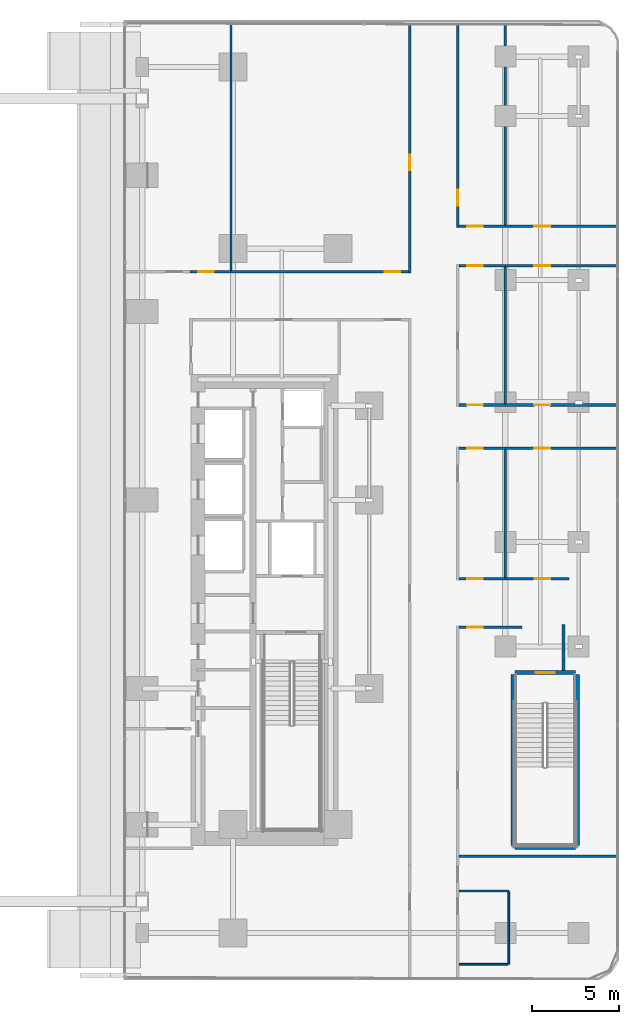
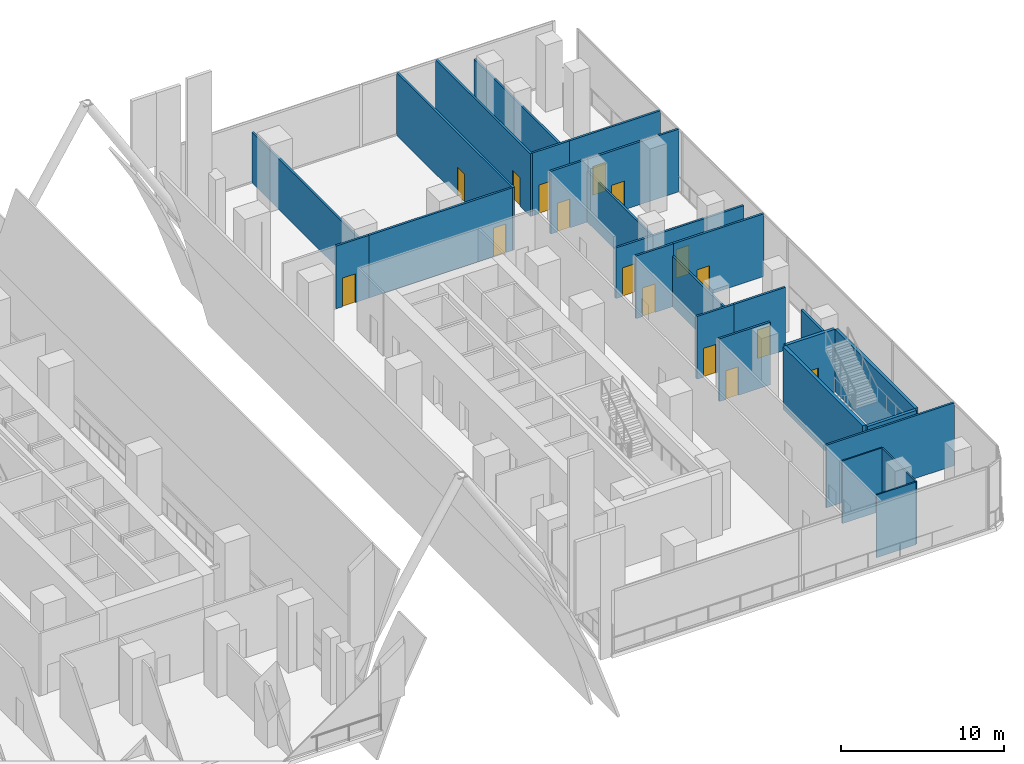
# One storey, part 10 of 31: 28 walls, 16 doors, 16 openings.
"""IFC4 building model written with IfcOpenShell, lengths in metres."""

from ifc_helpers import new_model, si_unit, direction, frame, frame_2d, origin, place, context, subcontext, project, spatial, rectangle, extrude, material, layer, layer_set, type_object, element, fill, save


model = new_model("IFC4")

# Units and contexts
model_context = context("Model", 3, precision=1e-05, world=origin(), true_north=direction((0.0, 1.0)))
body_context = subcontext(model_context, "Body", "Model", "MODEL_VIEW")
ifc_project = project(units=[si_unit("LENGTHUNIT", "METRE"), si_unit("AREAUNIT", "SQUARE_METRE"), si_unit("VOLUMEUNIT", "CUBIC_METRE"), si_unit("PLANEANGLEUNIT", "RADIAN"), si_unit("MASSUNIT", "GRAM", prefix="KILO")], contexts=[model_context])

# Site, building, storey
site_placement = place(None, origin())
site = spatial("IfcSite", under=ifc_project, at=site_placement, CompositionType="ELEMENT")
building_placement = place(site_placement, origin())
building = spatial("IfcBuilding", under=site, at=building_placement, Name="Khairoan Windgate Tower", CompositionType="ELEMENT")
storey_placement = place(building_placement, frame((0.0, 0.0, 6.0)))
storey = spatial("IfcBuildingStorey", under=building, at=storey_placement, Name="L02", CompositionType="ELEMENT", Elevation=6.0)

# Walls
ifc_material_1 = material(Name="Moisture-Resistant Gypsum Partition", Category="gypsum")
ifc_layer_1 = layer(ifc_material_1, 0.10009765625, Name="Moisture-Resistant Gypsum Partition")
ifc_layer_set_1 = layer_set([ifc_layer_1], Name="Moisture-Resistant Gypsum Partition")
wall_type_1 = type_object("IfcWallType", Name="Bathroom Wet-Area Partition Wall", PredefinedType="PARTITIONING", material=ifc_layer_set_1)
wall_1_placement = place(storey_placement, frame((27.35498046875, -22.39990234375, 0.0), z_axis=(0.0, 0.0, 1.0), x_axis=(1.0, 0.0, 0.0)))
element("IfcWall", 1, at=wall_1_placement, inside=storey, type_object=wall_type_1, Name="L02 Wet Room Side Wall 083", PredefinedType="PARTITIONING", context=body_context, shape_type="SweptSolid", body=[
    extrude(rectangle(XDim=2.844970703125, YDim=0.10009765625, at=frame_2d((1.42236328125, 0.0))), origin(), (0.0, 0.0, 1.0), 4.699951171875),
])
wall_2_placement = place(storey_placement, frame((30.199951171875, -22.449951171875, 0.0), z_axis=(0.0, 0.0, 1.0), x_axis=(0.0, -1.0, 0.0)))
element("IfcWall", 2, at=wall_2_placement, inside=storey, type_object=wall_type_1, Name="L02 Wet Room Side Wall 084", PredefinedType="PARTITIONING", context=body_context, shape_type="SweptSolid", body=[
    extrude(rectangle(XDim=4.150146484375, YDim=0.10009765625, at=frame_2d((2.0751953125, 0.0))), origin(), (0.0, 0.0, 1.0), 4.699951171875),
])
wall_3_placement = place(storey_placement, frame((30.14990234375, -26.60009765625, 0.0), z_axis=(0.0, 0.0, 1.0), x_axis=(-1.0, 0.0, 0.0)))
element("IfcWall", 3, at=wall_3_placement, inside=storey, type_object=wall_type_1, Name="L02 Wet Room Side Wall 085", PredefinedType="PARTITIONING", context=body_context, shape_type="SweptSolid", body=[
    extrude(rectangle(XDim=2.794921875, YDim=0.10009765625, at=frame_2d((1.3974609375, 0.0))), origin(), (0.0, 0.0, 1.0), 4.699951171875),
])
ifc_material_2 = material(Name="Acoustic Fire-Rated Gypsum Partition", Category="gypsum")
ifc_layer_2 = layer(ifc_material_2, 0.139892578125, Name="Acoustic Fire-Rated Gypsum Partition")
ifc_layer_set_2 = layer_set([ifc_layer_2], Name="Acoustic Fire-Rated Gypsum Partition")
wall_type_2 = type_object("IfcWallType", Name="Inter-Tenancy Compartment Wall", PredefinedType="PARTITIONING", material=ifc_layer_set_2)
wall_4_placement = place(storey_placement, frame((30.0, -4.445068359375, 0.0), z_axis=(0.0, 0.0, 1.0), x_axis=(0.0, 1.0, 0.0)))
element("IfcWall", 4, at=wall_4_placement, inside=storey, type_object=wall_type_2, Name="L02 Interior Partition 067", PredefinedType="PARTITIONING", context=body_context, shape_type="SweptSolid", body=[
    extrude(rectangle(XDim=7.330078125, YDim=0.139892578125, at=frame_2d((3.6650390625, 0.0))), origin(), (0.0, 0.0, 1.0), 3.800048828125),
])
wall_5_placement = place(storey_placement, frame((30.0, 5.514892578125, 0.0), z_axis=(0.0, 0.0, 1.0), x_axis=(0.0, 1.0, 0.0)))
element("IfcWall", 5, at=wall_5_placement, inside=storey, type_object=wall_type_2, Name="L02 Interior Partition 068", PredefinedType="PARTITIONING", context=body_context, shape_type="SweptSolid", body=[
    extrude(rectangle(XDim=7.830078125, YDim=0.139892578125, at=frame_2d((3.9150390625, 0.0))), origin(), (0.0, 0.0, 1.0), 3.800048828125),
])
wall_6_placement = place(storey_placement, frame((30.0, 15.7548828125, 0.0), z_axis=(0.0, 0.0, 1.0), x_axis=(0.0, 1.0, 0.0)))
element("IfcWall", 6, at=wall_6_placement, inside=storey, type_object=wall_type_2, Name="L02 Interior Partition 069", PredefinedType="PARTITIONING", context=body_context, shape_type="SweptSolid", body=[
    extrude(rectangle(XDim=11.485595703125, YDim=0.139892578125, at=frame_2d((5.74267578125, 0.0))), origin(), (0.0, 0.0, 1.0), 3.800048828125),
])
wall_7_placement = place(storey_placement, frame((14.280029296875, 13.155029296875, 0.0), z_axis=(0.0, 0.0, 1.0), x_axis=(0.0, 1.0, 0.0)))
element("IfcWall", 7, at=wall_7_placement, inside=storey, type_object=wall_type_2, Name="L02 Interior Partition 070", PredefinedType="PARTITIONING", context=body_context, shape_type="SweptSolid", body=[
    extrude(rectangle(XDim=14.135009765625, YDim=0.139892578125, at=frame_2d((7.0673828125, 0.0))), origin(), (0.0, 0.0, 1.0), 3.800048828125),
])
wall_8_placement = place(storey_placement, frame((27.35498046875, -20.419921875, 0.0), z_axis=(0.0, 0.0, 1.0), x_axis=(1.0, 0.0, 0.0)))
element("IfcWall", 8, at=wall_8_placement, inside=storey, type_object=wall_type_2, Name="L02 Interior Partition 077", PredefinedType="PARTITIONING", context=body_context, shape_type="SweptSolid", body=[
    extrude(rectangle(XDim=9.090087890625, YDim=0.139892578125, at=frame_2d((4.544921875, 0.0))), origin(), (0.0, 0.0, 1.0), 4.699951171875),
])

# Wall, opening, door
ifc_material_3 = material(Name="Acoustic Fire-Rated Gypsum Partition", Category="gypsum")
ifc_layer_3 = layer(ifc_material_3, 0.14990234375, Name="Acoustic Fire-Rated Gypsum Partition")
ifc_layer_set_3 = layer_set([ifc_layer_3], Name="Acoustic Fire-Rated Gypsum Partition")
wall_type_3 = type_object("IfcWallType", Name="Rated Corridor Partition Wall", PredefinedType="PARTITIONING", material=ifc_layer_set_3)
wall_9_placement = place(storey_placement, frame((24.52001953125, 13.0048828125, 0.0), z_axis=(0.0, 0.0, 1.0), x_axis=(0.0, 1.0, 0.0)))
wall_9 = element("IfcWall", 9, at=wall_9_placement, inside=storey, type_object=wall_type_3, Name="L02 Interior Partition 044", PredefinedType="PARTITIONING", context=body_context, shape_type="SweptSolid", body=[
    extrude(rectangle(XDim=14.2529296875, YDim=0.14990234375, at=frame_2d((7.12646484375, 0.0))), origin(), (0.0, 0.0, 1.0), 4.699951171875),
])
opening_1_placement = place(wall_9_placement, frame((5.874267578125, 0.0, 0.0)))
opening_1 = element("IfcOpeningElement", 10, at=opening_1_placement, cuts=wall_9, Name="Opening FD-ENT", PredefinedType="OPENING", context=body_context, shape_type="SweptSolid", body=[
    extrude(rectangle(XDim=0.89990234375, YDim=2.14990234375, at=frame_2d((0.449951171875, 1.074951171875))), frame((0.0, 0.0849609375, 0.0), z_axis=(0.0, -1.0, 0.0), x_axis=(1.0, 0.0, 0.0)), (0.0, 0.0, 1.0), 0.169921875),
])
ifc_material_4 = material(Name="Timber Fire-Rated Core", Category="wood")
door_type_1 = type_object("IfcDoorType", Name="Unit and Office Fire Entrance Door FD-ENT 900x2150", OperationType="NOTDEFINED", PredefinedType="DOOR", material=ifc_material_4)
door_1_placement = place(opening_1_placement, origin())
door_1 = element("IfcDoor", 11, at=door_1_placement, inside=storey, type_object=door_type_1, Name="L02 L02-43-L02-54 Door", OperationType="SINGLE_SWING_LEFT", OverallHeight=2.14990234375, OverallWidth=0.89990234375, PredefinedType="DOOR", context=body_context, shape_type="SweptSolid", body=[
    extrude(rectangle(XDim=0.89990234375, YDim=2.14990234375, at=frame_2d((0.449951171875, 1.074951171875))), frame((0.0, 0.02490234375, 0.0), z_axis=(0.0, -1.0, 0.0), x_axis=(1.0, 0.0, 0.0)), (0.0, 0.0, 1.0), 0.050048828125),
])
fill(opening_1, door_1)

wall_10_placement = place(storey_placement, frame((27.280029296875, 15.60498046875, 0.0), z_axis=(0.0, 0.0, 1.0), x_axis=(0.0, 1.0, 0.0)))
wall_10 = element("IfcWall", 12, at=wall_10_placement, inside=storey, type_object=wall_type_3, Name="L02 Interior Partition 050", PredefinedType="PARTITIONING", context=body_context, shape_type="SweptSolid", body=[
    extrude(rectangle(XDim=11.64404296875, YDim=0.14990234375, at=frame_2d((5.822021484375, 0.0))), origin(), (0.0, 0.0, 1.0), 4.699951171875),
])
opening_2_placement = place(wall_10_placement, frame((1.261962890625, 0.0, 0.0)))
opening_2 = element("IfcOpeningElement", 13, at=opening_2_placement, cuts=wall_10, Name="Opening FD-ENT", PredefinedType="OPENING", context=body_context, shape_type="SweptSolid", body=[
    extrude(rectangle(XDim=0.89990234375, YDim=2.14990234375, at=frame_2d((0.449951171875, 1.074951171875))), frame((0.0, 0.0849609375, 0.0), z_axis=(0.0, -1.0, 0.0), x_axis=(1.0, 0.0, 0.0)), (0.0, 0.0, 1.0), 0.169921875),
])
door_2_placement = place(opening_2_placement, origin())
door_2 = element("IfcDoor", 14, at=door_2_placement, inside=storey, type_object=door_type_1, Name="L02 L02-43-L02-70 Door", OperationType="SINGLE_SWING_LEFT", OverallHeight=2.14990234375, OverallWidth=0.89990234375, PredefinedType="DOOR", context=body_context, shape_type="SweptSolid", body=[
    extrude(rectangle(XDim=0.89990234375, YDim=2.14990234375, at=frame_2d((0.449951171875, 1.074951171875))), frame((0.0, 0.02490234375, 0.0), z_axis=(0.0, -1.0, 0.0), x_axis=(1.0, 0.0, 0.0)), (0.0, 0.0, 1.0), 0.050048828125),
])
fill(opening_2, door_2)

wall_11_placement = place(storey_placement, frame((27.35498046875, 2.9599609375, 0.0), z_axis=(0.0, 0.0, 1.0), x_axis=(1.0, 0.0, 0.0)))
wall_11 = element("IfcWall", 15, at=wall_11_placement, inside=storey, type_object=wall_type_3, Name="L02 Interior Partition 051", PredefinedType="PARTITIONING", context=body_context, shape_type="SweptSolid", body=[
    extrude(rectangle(XDim=2.64501953125, YDim=0.14990234375, at=frame_2d((1.322509765625, 0.0))), origin(), (0.0, 0.0, 1.0), 4.699951171875),
])
opening_3_placement = place(wall_11_placement, frame((0.4599609375, 0.0, 0.0)))
opening_3 = element("IfcOpeningElement", 16, at=opening_3_placement, cuts=wall_11, Name="Opening FD-ENT", PredefinedType="OPENING", context=body_context, shape_type="SweptSolid", body=[
    extrude(rectangle(XDim=0.89990234375, YDim=2.14990234375, at=frame_2d((0.449951171875, 1.074951171875))), frame((0.0, 0.0849609375, 0.0), z_axis=(0.0, -1.0, 0.0), x_axis=(1.0, 0.0, 0.0)), (0.0, 0.0, 1.0), 0.169921875),
])
door_3_placement = place(opening_3_placement, origin())
door_3 = element("IfcDoor", 17, at=door_3_placement, inside=storey, type_object=door_type_1, Name="L02 L02-44-L02-49 Door", OperationType="SINGLE_SWING_RIGHT", OverallHeight=2.14990234375, OverallWidth=0.89990234375, PredefinedType="DOOR", context=body_context, shape_type="SweptSolid", body=[
    extrude(rectangle(XDim=0.89990234375, YDim=2.14990234375, at=frame_2d((0.449951171875, 1.074951171875))), frame((0.0, 0.02490234375, 0.0), z_axis=(0.0, -1.0, 0.0), x_axis=(1.0, 0.0, 0.0)), (0.0, 0.0, 1.0), 0.050048828125),
])
fill(opening_3, door_3)

wall_12_placement = place(storey_placement, frame((30.0, 2.9599609375, 0.0), z_axis=(0.0, 0.0, 1.0), x_axis=(1.0, 0.0, 0.0)))
wall_12 = element("IfcWall", 18, at=wall_12_placement, inside=storey, type_object=wall_type_3, Name="L02 Interior Partition 052", PredefinedType="PARTITIONING", context=body_context, shape_type="SweptSolid", body=[
    extrude(rectangle(XDim=6.445068359375, YDim=0.14990234375, at=frame_2d((3.22265625, 0.0))), origin(), (0.0, 0.0, 1.0), 4.699951171875),
])
opening_4_placement = place(wall_12_placement, frame((1.66650390625, 0.0, 0.0)))
opening_4 = element("IfcOpeningElement", 19, at=opening_4_placement, cuts=wall_12, Name="Opening FD-ENT", PredefinedType="OPENING", context=body_context, shape_type="SweptSolid", body=[
    extrude(rectangle(XDim=0.89990234375, YDim=2.14990234375, at=frame_2d((0.449951171875, 1.074951171875))), frame((0.0, 0.0849609375, 0.0), z_axis=(0.0, -1.0, 0.0), x_axis=(1.0, 0.0, 0.0)), (0.0, 0.0, 1.0), 0.169921875),
])
door_4_placement = place(opening_4_placement, origin())
door_4 = element("IfcDoor", 20, at=door_4_placement, inside=storey, type_object=door_type_1, Name="L02 L02-44-L02-50 Door", OperationType="SINGLE_SWING_LEFT", OverallHeight=2.14990234375, OverallWidth=0.89990234375, PredefinedType="DOOR", context=body_context, shape_type="SweptSolid", body=[
    extrude(rectangle(XDim=0.89990234375, YDim=2.14990234375, at=frame_2d((0.449951171875, 1.074951171875))), frame((0.0, 0.02490234375, 0.0), z_axis=(0.0, -1.0, 0.0), x_axis=(1.0, 0.0, 0.0)), (0.0, 0.0, 1.0), 0.050048828125),
])
fill(opening_4, door_4)

wall_13_placement = place(storey_placement, frame((27.35498046875, 5.43994140625, 0.0), z_axis=(0.0, 0.0, 1.0), x_axis=(1.0, 0.0, 0.0)))
wall_13 = element("IfcWall", 21, at=wall_13_placement, inside=storey, type_object=wall_type_3, Name="L02 Interior Partition 053", PredefinedType="PARTITIONING", context=body_context, shape_type="SweptSolid", body=[
    extrude(rectangle(XDim=2.64501953125, YDim=0.14990234375, at=frame_2d((1.322509765625, 0.0))), origin(), (0.0, 0.0, 1.0), 3.800048828125),
])
opening_5_placement = place(wall_13_placement, frame((0.4599609375, 0.0, 0.0)))
opening_5 = element("IfcOpeningElement", 22, at=opening_5_placement, cuts=wall_13, Name="Opening FD-ENT", PredefinedType="OPENING", context=body_context, shape_type="SweptSolid", body=[
    extrude(rectangle(XDim=0.89990234375, YDim=2.14990234375, at=frame_2d((0.449951171875, 1.074951171875))), frame((0.0, 0.0849609375, 0.0), z_axis=(0.0, -1.0, 0.0), x_axis=(1.0, 0.0, 0.0)), (0.0, 0.0, 1.0), 0.169921875),
])
door_5_placement = place(opening_5_placement, origin())
door_5 = element("IfcDoor", 23, at=door_5_placement, inside=storey, type_object=door_type_1, Name="L02 L02-44-L02-51 Door", OperationType="SINGLE_SWING_RIGHT", OverallHeight=2.14990234375, OverallWidth=0.89990234375, PredefinedType="DOOR", context=body_context, shape_type="SweptSolid", body=[
    extrude(rectangle(XDim=0.89990234375, YDim=2.14990234375, at=frame_2d((0.449951171875, 1.074951171875))), frame((0.0, 0.02490234375, 0.0), z_axis=(0.0, -1.0, 0.0), x_axis=(1.0, 0.0, 0.0)), (0.0, 0.0, 1.0), 0.050048828125),
])
fill(opening_5, door_5)

wall_14_placement = place(storey_placement, frame((30.0, 5.43994140625, 0.0), z_axis=(0.0, 0.0, 1.0), x_axis=(1.0, 0.0, 0.0)))
wall_14 = element("IfcWall", 24, at=wall_14_placement, inside=storey, type_object=wall_type_3, Name="L02 Interior Partition 054", PredefinedType="PARTITIONING", context=body_context, shape_type="SweptSolid", body=[
    extrude(rectangle(XDim=6.445068359375, YDim=0.14990234375, at=frame_2d((3.22265625, 0.0))), origin(), (0.0, 0.0, 1.0), 3.800048828125),
])
opening_6_placement = place(wall_14_placement, frame((1.66650390625, 0.0, 0.0)))
opening_6 = element("IfcOpeningElement", 25, at=opening_6_placement, cuts=wall_14, Name="Opening FD-ENT", PredefinedType="OPENING", context=body_context, shape_type="SweptSolid", body=[
    extrude(rectangle(XDim=0.89990234375, YDim=2.14990234375, at=frame_2d((0.449951171875, 1.074951171875))), frame((0.0, 0.0849609375, 0.0), z_axis=(0.0, -1.0, 0.0), x_axis=(1.0, 0.0, 0.0)), (0.0, 0.0, 1.0), 0.169921875),
])
door_6_placement = place(opening_6_placement, origin())
door_6 = element("IfcDoor", 26, at=door_6_placement, inside=storey, type_object=door_type_1, Name="L02 L02-44-L02-52 Door", OperationType="SINGLE_SWING_LEFT", OverallHeight=2.14990234375, OverallWidth=0.89990234375, PredefinedType="DOOR", context=body_context, shape_type="SweptSolid", body=[
    extrude(rectangle(XDim=0.89990234375, YDim=2.14990234375, at=frame_2d((0.449951171875, 1.074951171875))), frame((0.0, 0.02490234375, 0.0), z_axis=(0.0, -1.0, 0.0), x_axis=(1.0, 0.0, 0.0)), (0.0, 0.0, 1.0), 0.050048828125),
])
fill(opening_6, door_6)

wall_15_placement = place(storey_placement, frame((27.35498046875, 13.419921875, 0.0), z_axis=(0.0, 0.0, 1.0), x_axis=(1.0, 0.0, 0.0)))
wall_15 = element("IfcWall", 27, at=wall_15_placement, inside=storey, type_object=wall_type_3, Name="L02 Interior Partition 055", PredefinedType="PARTITIONING", context=body_context, shape_type="SweptSolid", body=[
    extrude(rectangle(XDim=2.64501953125, YDim=0.14990234375, at=frame_2d((1.322509765625, 0.0))), origin(), (0.0, 0.0, 1.0), 4.699951171875),
])
opening_7_placement = place(wall_15_placement, frame((0.4599609375, 0.0, 0.0)))
opening_7 = element("IfcOpeningElement", 28, at=opening_7_placement, cuts=wall_15, Name="Opening FD-ENT", PredefinedType="OPENING", context=body_context, shape_type="SweptSolid", body=[
    extrude(rectangle(XDim=0.89990234375, YDim=2.14990234375, at=frame_2d((0.449951171875, 1.074951171875))), frame((0.0, 0.0849609375, 0.0), z_axis=(0.0, -1.0, 0.0), x_axis=(1.0, 0.0, 0.0)), (0.0, 0.0, 1.0), 0.169921875),
])
door_7_placement = place(opening_7_placement, origin())
door_7 = element("IfcDoor", 29, at=door_7_placement, inside=storey, type_object=door_type_1, Name="L02 L02-45-L02-51 Door", OperationType="SINGLE_SWING_RIGHT", OverallHeight=2.14990234375, OverallWidth=0.89990234375, PredefinedType="DOOR", context=body_context, shape_type="SweptSolid", body=[
    extrude(rectangle(XDim=0.89990234375, YDim=2.14990234375, at=frame_2d((0.449951171875, 1.074951171875))), frame((0.0, 0.02490234375, 0.0), z_axis=(0.0, -1.0, 0.0), x_axis=(1.0, 0.0, 0.0)), (0.0, 0.0, 1.0), 0.050048828125),
])
fill(opening_7, door_7)

wall_16_placement = place(storey_placement, frame((30.0, 13.419921875, 0.0), z_axis=(0.0, 0.0, 1.0), x_axis=(1.0, 0.0, 0.0)))
wall_16 = element("IfcWall", 30, at=wall_16_placement, inside=storey, type_object=wall_type_3, Name="L02 Interior Partition 056", PredefinedType="PARTITIONING", context=body_context, shape_type="SweptSolid", body=[
    extrude(rectangle(XDim=6.445068359375, YDim=0.14990234375, at=frame_2d((3.22265625, 0.0))), origin(), (0.0, 0.0, 1.0), 4.699951171875),
])
opening_8_placement = place(wall_16_placement, frame((1.66650390625, 0.0, 0.0)))
opening_8 = element("IfcOpeningElement", 31, at=opening_8_placement, cuts=wall_16, Name="Opening FD-ENT", PredefinedType="OPENING", context=body_context, shape_type="SweptSolid", body=[
    extrude(rectangle(XDim=0.89990234375, YDim=2.14990234375, at=frame_2d((0.449951171875, 1.074951171875))), frame((0.0, 0.0849609375, 0.0), z_axis=(0.0, -1.0, 0.0), x_axis=(1.0, 0.0, 0.0)), (0.0, 0.0, 1.0), 0.169921875),
])
door_8_placement = place(opening_8_placement, origin())
door_8 = element("IfcDoor", 32, at=door_8_placement, inside=storey, type_object=door_type_1, Name="L02 L02-45-L02-52 Door", OperationType="SINGLE_SWING_LEFT", OverallHeight=2.14990234375, OverallWidth=0.89990234375, PredefinedType="DOOR", context=body_context, shape_type="SweptSolid", body=[
    extrude(rectangle(XDim=0.89990234375, YDim=2.14990234375, at=frame_2d((0.449951171875, 1.074951171875))), frame((0.0, 0.02490234375, 0.0), z_axis=(0.0, -1.0, 0.0), x_axis=(1.0, 0.0, 0.0)), (0.0, 0.0, 1.0), 0.050048828125),
])
fill(opening_8, door_8)

wall_17_placement = place(storey_placement, frame((30.0, 15.679931640625, 0.0), z_axis=(0.0, 0.0, 1.0), x_axis=(1.0, 0.0, 0.0)))
wall_17 = element("IfcWall", 33, at=wall_17_placement, inside=storey, type_object=wall_type_3, Name="L02 Interior Partition 057", PredefinedType="PARTITIONING", context=body_context, shape_type="SweptSolid", body=[
    extrude(rectangle(XDim=6.445068359375, YDim=0.14990234375, at=frame_2d((3.22265625, 0.0))), origin(), (0.0, 0.0, 1.0), 4.699951171875),
])
opening_9_placement = place(wall_17_placement, frame((1.66650390625, 0.0, 0.0)))
opening_9 = element("IfcOpeningElement", 34, at=opening_9_placement, cuts=wall_17, Name="Opening FD-ENT", PredefinedType="OPENING", context=body_context, shape_type="SweptSolid", body=[
    extrude(rectangle(XDim=0.89990234375, YDim=2.14990234375, at=frame_2d((0.449951171875, 1.074951171875))), frame((0.0, 0.0849609375, 0.0), z_axis=(0.0, -1.0, 0.0), x_axis=(1.0, 0.0, 0.0)), (0.0, 0.0, 1.0), 0.169921875),
])
door_9_placement = place(opening_9_placement, origin())
door_9 = element("IfcDoor", 35, at=door_9_placement, inside=storey, type_object=door_type_1, Name="L02 L02-45-L02-53 Door", OperationType="SINGLE_SWING_RIGHT", OverallHeight=2.14990234375, OverallWidth=0.89990234375, PredefinedType="DOOR", context=body_context, shape_type="SweptSolid", body=[
    extrude(rectangle(XDim=0.89990234375, YDim=2.14990234375, at=frame_2d((0.449951171875, 1.074951171875))), frame((0.0, 0.02490234375, 0.0), z_axis=(0.0, -1.0, 0.0), x_axis=(1.0, 0.0, 0.0)), (0.0, 0.0, 1.0), 0.050048828125),
])
fill(opening_9, door_9)

wall_18_placement = place(storey_placement, frame((27.35498046875, 15.679931640625, 0.0), z_axis=(0.0, 0.0, 1.0), x_axis=(1.0, 0.0, 0.0)))
wall_18 = element("IfcWall", 36, at=wall_18_placement, inside=storey, type_object=wall_type_3, Name="L02 Interior Partition 058", PredefinedType="PARTITIONING", context=body_context, shape_type="SweptSolid", body=[
    extrude(rectangle(XDim=2.64501953125, YDim=0.14990234375, at=frame_2d((1.322509765625, 0.0))), origin(), (0.0, 0.0, 1.0), 4.699951171875),
])
opening_10_placement = place(wall_18_placement, frame((0.4599609375, 0.0, 0.0)))
opening_10 = element("IfcOpeningElement", 37, at=opening_10_placement, cuts=wall_18, Name="Opening FD-ENT", PredefinedType="OPENING", context=body_context, shape_type="SweptSolid", body=[
    extrude(rectangle(XDim=0.89990234375, YDim=2.14990234375, at=frame_2d((0.449951171875, 1.074951171875))), frame((0.0, 0.0849609375, 0.0), z_axis=(0.0, -1.0, 0.0), x_axis=(1.0, 0.0, 0.0)), (0.0, 0.0, 1.0), 0.169921875),
])
door_10_placement = place(opening_10_placement, origin())
door_10 = element("IfcDoor", 38, at=door_10_placement, inside=storey, type_object=door_type_1, Name="L02 L02-45-L02-70 Door", OperationType="SINGLE_SWING_LEFT", OverallHeight=2.14990234375, OverallWidth=0.89990234375, PredefinedType="DOOR", context=body_context, shape_type="SweptSolid", body=[
    extrude(rectangle(XDim=0.89990234375, YDim=2.14990234375, at=frame_2d((0.449951171875, 1.074951171875))), frame((0.0, 0.02490234375, 0.0), z_axis=(0.0, -1.0, 0.0), x_axis=(1.0, 0.0, 0.0)), (0.0, 0.0, 1.0), 0.050048828125),
])
fill(opening_10, door_10)

wall_19_placement = place(storey_placement, frame((14.280029296875, 13.080078125, 0.0), z_axis=(0.0, 0.0, 1.0), x_axis=(1.0, 0.0, 0.0)))
wall_19 = element("IfcWall", 39, at=wall_19_placement, inside=storey, type_object=wall_type_3, Name="L02 Interior Partition 059", PredefinedType="PARTITIONING", context=body_context, shape_type="SweptSolid", body=[
    extrude(rectangle(XDim=10.1650390625, YDim=0.14990234375, at=frame_2d((5.08251953125, 0.0))), origin(), (0.0, 0.0, 1.0), 4.699951171875),
])
opening_11_placement = place(wall_19_placement, frame((8.804931640625, 0.0, 0.0)))
opening_11 = element("IfcOpeningElement", 40, at=opening_11_placement, cuts=wall_19, Name="Opening FD-ENT", PredefinedType="OPENING", context=body_context, shape_type="SweptSolid", body=[
    extrude(rectangle(XDim=0.89990234375, YDim=2.14990234375, at=frame_2d((0.449951171875, 1.074951171875))), frame((0.0, 0.0849609375, 0.0), z_axis=(0.0, -1.0, 0.0), x_axis=(1.0, 0.0, 0.0)), (0.0, 0.0, 1.0), 0.169921875),
])
door_11_placement = place(opening_11_placement, origin())
door_11 = element("IfcDoor", 41, at=door_11_placement, inside=storey, type_object=door_type_1, Name="L02 L02-46-L02-54 Door", OperationType="SINGLE_SWING_RIGHT", OverallHeight=2.14990234375, OverallWidth=0.89990234375, PredefinedType="DOOR", context=body_context, shape_type="SweptSolid", body=[
    extrude(rectangle(XDim=0.89990234375, YDim=2.14990234375, at=frame_2d((0.449951171875, 1.074951171875))), frame((0.0, 0.02490234375, 0.0), z_axis=(0.0, -1.0, 0.0), x_axis=(1.0, 0.0, 0.0)), (0.0, 0.0, 1.0), 0.050048828125),
])
fill(opening_11, door_11)

wall_20_placement = place(storey_placement, frame((11.93994140625, 13.080078125, 0.0), z_axis=(0.0, 0.0, 1.0), x_axis=(1.0, 0.0, 0.0)))
wall_20 = element("IfcWall", 42, at=wall_20_placement, inside=storey, type_object=wall_type_3, Name="L02 Interior Partition 062", PredefinedType="PARTITIONING", context=body_context, shape_type="SweptSolid", body=[
    extrude(rectangle(XDim=2.340087890625, YDim=0.14990234375, at=frame_2d((1.169921875, 0.0))), origin(), (0.0, 0.0, 1.0), 4.699951171875),
])
opening_12_placement = place(wall_20_placement, frame((0.4599609375, 0.0, 0.0)))
opening_12 = element("IfcOpeningElement", 43, at=opening_12_placement, cuts=wall_20, Name="Opening FD-ENT", PredefinedType="OPENING", context=body_context, shape_type="SweptSolid", body=[
    extrude(rectangle(XDim=0.89990234375, YDim=2.14990234375, at=frame_2d((0.449951171875, 1.074951171875))), frame((0.0, 0.0849609375, 0.0), z_axis=(0.0, -1.0, 0.0), x_axis=(1.0, 0.0, 0.0)), (0.0, 0.0, 1.0), 0.169921875),
])
door_12_placement = place(opening_12_placement, origin())
door_12 = element("IfcDoor", 44, at=door_12_placement, inside=storey, type_object=door_type_1, Name="L02 L02-46-L02-72 Door", OperationType="SINGLE_SWING_LEFT", OverallHeight=2.14990234375, OverallWidth=0.89990234375, PredefinedType="DOOR", context=body_context, shape_type="SweptSolid", body=[
    extrude(rectangle(XDim=0.89990234375, YDim=2.14990234375, at=frame_2d((0.449951171875, 1.074951171875))), frame((0.0, 0.02490234375, 0.0), z_axis=(0.0, -1.0, 0.0), x_axis=(1.0, 0.0, 0.0)), (0.0, 0.0, 1.0), 0.050048828125),
])
fill(opening_12, door_12)

wall_21_placement = place(storey_placement, frame((27.35498046875, -4.52001953125, 0.0), z_axis=(0.0, 0.0, 1.0), x_axis=(1.0, 0.0, 0.0)))
wall_21 = element("IfcWall", 45, at=wall_21_placement, inside=storey, type_object=wall_type_3, Name="L02 Interior Partition 063", PredefinedType="PARTITIONING", context=body_context, shape_type="SweptSolid", body=[
    extrude(rectangle(XDim=2.64501953125, YDim=0.14990234375, at=frame_2d((1.322509765625, 0.0))), origin(), (0.0, 0.0, 1.0), 4.699951171875),
])
opening_13_placement = place(wall_21_placement, frame((0.4599609375, 0.0, 0.0)))
opening_13 = element("IfcOpeningElement", 46, at=opening_13_placement, cuts=wall_21, Name="Opening FD-ENT", PredefinedType="OPENING", context=body_context, shape_type="SweptSolid", body=[
    extrude(rectangle(XDim=0.89990234375, YDim=2.14990234375, at=frame_2d((0.449951171875, 1.074951171875))), frame((0.0, 0.0849609375, 0.0), z_axis=(0.0, -1.0, 0.0), x_axis=(1.0, 0.0, 0.0)), (0.0, 0.0, 1.0), 0.169921875),
])
door_13_placement = place(opening_13_placement, origin())
door_13 = element("IfcDoor", 47, at=door_13_placement, inside=storey, type_object=door_type_1, Name="L02 L02-47-L02-49 Door", OperationType="SINGLE_SWING_RIGHT", OverallHeight=2.14990234375, OverallWidth=0.89990234375, PredefinedType="DOOR", context=body_context, shape_type="SweptSolid", body=[
    extrude(rectangle(XDim=0.89990234375, YDim=2.14990234375, at=frame_2d((0.449951171875, 1.074951171875))), frame((0.0, 0.02490234375, 0.0), z_axis=(0.0, -1.0, 0.0), x_axis=(1.0, 0.0, 0.0)), (0.0, 0.0, 1.0), 0.050048828125),
])
fill(opening_13, door_13)

wall_22_placement = place(storey_placement, frame((30.0, -4.52001953125, 0.0), z_axis=(0.0, 0.0, 1.0), x_axis=(1.0, 0.0, 0.0)))
wall_22 = element("IfcWall", 48, at=wall_22_placement, inside=storey, type_object=wall_type_3, Name="L02 Interior Partition 064", PredefinedType="PARTITIONING", context=body_context, shape_type="SweptSolid", body=[
    extrude(rectangle(XDim=3.639892578125, YDim=0.14990234375, at=frame_2d((1.81982421875, 0.0))), origin(), (0.0, 0.0, 1.0), 4.699951171875),
])
opening_14_placement = place(wall_22_placement, frame((1.67333984375, 0.0, 0.0)))
opening_14 = element("IfcOpeningElement", 49, at=opening_14_placement, cuts=wall_22, Name="Opening FD-ENT", PredefinedType="OPENING", context=body_context, shape_type="SweptSolid", body=[
    extrude(rectangle(XDim=0.89990234375, YDim=2.14990234375, at=frame_2d((0.449951171875, 1.074951171875))), frame((0.0, 0.0849609375, 0.0), z_axis=(0.0, -1.0, 0.0), x_axis=(1.0, 0.0, 0.0)), (0.0, 0.0, 1.0), 0.169921875),
])
door_14_placement = place(opening_14_placement, origin())
door_14 = element("IfcDoor", 50, at=door_14_placement, inside=storey, type_object=door_type_1, Name="L02 L02-47-L02-50 Door", OperationType="SINGLE_SWING_LEFT", OverallHeight=2.14990234375, OverallWidth=0.89990234375, PredefinedType="DOOR", context=body_context, shape_type="SweptSolid", body=[
    extrude(rectangle(XDim=0.89990234375, YDim=2.14990234375, at=frame_2d((0.449951171875, 1.074951171875))), frame((0.0, 0.02490234375, 0.0), z_axis=(0.0, -1.0, 0.0), x_axis=(1.0, 0.0, 0.0)), (0.0, 0.0, 1.0), 0.050048828125),
])
fill(opening_14, door_14)

wall_23_placement = place(storey_placement, frame((27.35498046875, -7.280029296875, 0.0), z_axis=(0.0, 0.0, 1.0), x_axis=(1.0, 0.0, 0.0)))
wall_23 = element("IfcWall", 51, at=wall_23_placement, inside=storey, type_object=wall_type_3, Name="L02 Interior Partition 065", PredefinedType="PARTITIONING", context=body_context, shape_type="SweptSolid", body=[
    extrude(rectangle(XDim=3.60498046875, YDim=0.14990234375, at=frame_2d((1.802490234375, 0.0))), origin(), (0.0, 0.0, 1.0), 4.699951171875),
])
opening_15_placement = place(wall_23_placement, frame((0.4599609375, 0.0, 0.0)))
opening_15 = element("IfcOpeningElement", 52, at=opening_15_placement, cuts=wall_23, Name="Opening FD-ENT", PredefinedType="OPENING", context=body_context, shape_type="SweptSolid", body=[
    extrude(rectangle(XDim=0.89990234375, YDim=2.14990234375, at=frame_2d((0.449951171875, 1.074951171875))), frame((0.0, 0.0849609375, 0.0), z_axis=(0.0, -1.0, 0.0), x_axis=(1.0, 0.0, 0.0)), (0.0, 0.0, 1.0), 0.169921875),
])
door_15_placement = place(opening_15_placement, origin())
door_15 = element("IfcDoor", 53, at=door_15_placement, inside=storey, type_object=door_type_1, Name="L02 L02-47-L02-64 Door", OperationType="SINGLE_SWING_RIGHT", OverallHeight=2.14990234375, OverallWidth=0.89990234375, PredefinedType="DOOR", context=body_context, shape_type="SweptSolid", body=[
    extrude(rectangle(XDim=0.89990234375, YDim=2.14990234375, at=frame_2d((0.449951171875, 1.074951171875))), frame((0.0, 0.02490234375, 0.0), z_axis=(0.0, -1.0, 0.0), x_axis=(1.0, 0.0, 0.0)), (0.0, 0.0, 1.0), 0.050048828125),
])
fill(opening_15, door_15)

# Wall
wall_24_placement = place(storey_placement, frame((33.3330078125, -9.780029296875, 0.0), z_axis=(0.0, 0.0, 1.0), x_axis=(0.0, 1.0, 0.0)))
element("IfcWall", 54, at=wall_24_placement, inside=storey, type_object=wall_type_3, Name="L02 Interior Partition 066", PredefinedType="PARTITIONING", context=body_context, shape_type="SweptSolid", body=[
    extrude(rectangle(XDim=2.659912109375, YDim=0.14990234375, at=frame_2d((1.330078125, 0.0))), origin(), (0.0, 0.0, 1.0), 4.699951171875),
])

# Wall, opening, door
ifc_material_5 = material(Name="Concrete C50/60", Category="concrete")
ifc_layer_4 = layer(ifc_material_5, 0.219970703125, Name="Concrete C50/60")
ifc_layer_set_4 = layer_set([ifc_layer_4], Name="Concrete C50/60")
wall_type_4 = type_object("IfcWallType", Name="Shear Wall SW-ST 220mm", PredefinedType="SHEAR", material=ifc_layer_set_4)
wall_25_placement = place(storey_placement, frame((34.02001953125, -9.889892578125, 0.0), z_axis=(0.0, 0.0, 1.0), x_axis=(-1.0, 0.0, 0.0)))
wall_25 = element("IfcWall", 55, at=wall_25_placement, inside=storey, type_object=wall_type_4, Name="L02 ST3 North Bearing Wall", PredefinedType="SHEAR", context=body_context, shape_type="SweptSolid", body=[
    extrude(rectangle(XDim=3.469970703125, YDim=0.219970703125, at=frame_2d((1.73486328125, 0.0))), origin(), (0.0, 0.0, 1.0), 4.699951171875),
])
opening_16_placement = place(wall_25_placement, frame((1.179931640625, 0.0, 0.0)))
opening_16 = element("IfcOpeningElement", 56, at=opening_16_placement, cuts=wall_25, Name="Opening FD-ST", PredefinedType="OPENING", context=body_context, shape_type="SweptSolid", body=[
    extrude(rectangle(XDim=1.10009765625, YDim=2.199951171875, at=frame_2d((0.550048828125, 1.10009765625))), frame((0.0, 0.119873046875, 0.0), z_axis=(0.0, -1.0, 0.0), x_axis=(1.0, 0.0, 0.0)), (0.0, 0.0, 1.0), 0.239990234375),
])
ifc_material_6 = material(Name="Steel S355", Category="steel")
door_type_2 = type_object("IfcDoorType", Name="Smokeproof Stair Fire Door FD-ST 1100x2200", OperationType="NOTDEFINED", PredefinedType="DOOR", material=ifc_material_6)
door_16_placement = place(opening_16_placement, origin())
door_16 = element("IfcDoor", 57, at=door_16_placement, inside=storey, type_object=door_type_2, Name="L02 Stair ST3 Fire Door", OperationType="SINGLE_SWING_LEFT", OverallHeight=2.199951171875, OverallWidth=1.10009765625, PredefinedType="DOOR", context=body_context, shape_type="SweptSolid", body=[
    extrude(rectangle(XDim=1.10009765625, YDim=2.199951171875, at=frame_2d((0.550048828125, 1.10009765625))), frame((0.0, 0.02490234375, 0.0), z_axis=(0.0, -1.0, 0.0), x_axis=(1.0, 0.0, 0.0)), (0.0, 0.0, 1.0), 0.050048828125),
])
fill(opening_16, door_16)

# Walls
wall_26_placement = place(storey_placement, frame((30.550048828125, -19.909912109375, 0.0), z_axis=(0.0, 0.0, 1.0), x_axis=(1.0, 0.0, 0.0)))
element("IfcWall", 58, at=wall_26_placement, inside=storey, type_object=wall_type_4, Name="L02 ST3 South Bearing Wall", PredefinedType="SHEAR", context=body_context, shape_type="SweptSolid", body=[
    extrude(rectangle(XDim=3.469970703125, YDim=0.219970703125, at=frame_2d((1.73486328125, 0.0))), origin(), (0.0, 0.0, 1.0), 4.699951171875),
])
for number, where, z_axis, x_axis, name in (
    (59, (30.43994140625, -19.800048828125, 0.0), (0.0, 0.0, 1.0), (0.0, 1.0, 0.0), "L02 ST3 West Bearing Wall"),
    (60, (34.1298828125, -19.800048828125, 0.0), (0.0, 0.0, 1.0), (0.0, 1.0, 0.0), "L02 ST3 East Bearing Wall"),
):
    element("IfcWall", number, at=place(storey_placement, frame(where, z_axis=z_axis, x_axis=x_axis)), inside=storey, type_object=wall_type_4, Name=name, PredefinedType="SHEAR", context=body_context, shape_type="SweptSolid", body=[
        extrude(rectangle(XDim=9.800048828125, YDim=0.219970703125, at=frame_2d((4.89990234375, 0.0))), origin(), (0.0, 0.0, 1.0), 4.699951171875),
    ])

save(model, "model.ifc")
